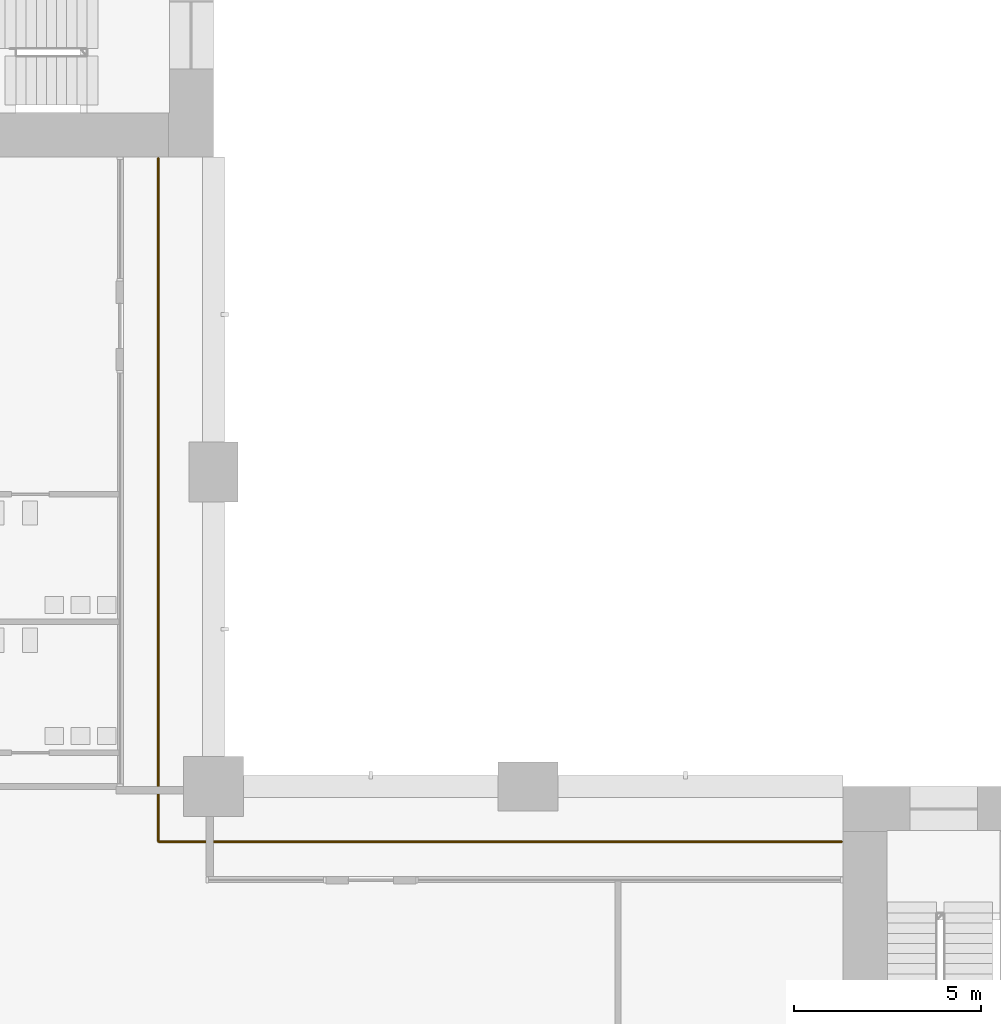
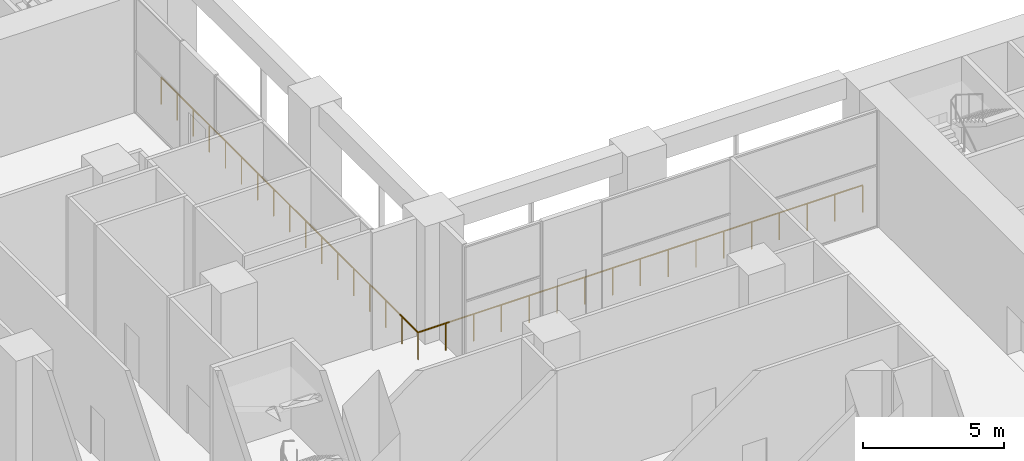
# One storey, part 30 of 33: 1 railing.
"""IFC4 building model written with IfcOpenShell, lengths in metres."""

from ifc_helpers import new_model, si_unit, direction, frame, origin, origin_2d, place, context, subcontext, project, spatial, circle, extrude, material, type_object, element, save


model = new_model("IFC4")

# Units and contexts
model_context = context("Model", 3, precision=1e-05, world=origin(), true_north=direction((0.0, 1.0)))
body_context = subcontext(model_context, "Body", "Model", "MODEL_VIEW")
ifc_project = project(units=[si_unit("LENGTHUNIT", "METRE"), si_unit("AREAUNIT", "SQUARE_METRE"), si_unit("VOLUMEUNIT", "CUBIC_METRE"), si_unit("PLANEANGLEUNIT", "RADIAN"), si_unit("MASSUNIT", "GRAM", prefix="KILO")], contexts=[model_context])

# Site, building, storey
site_placement = place(None, origin())
site = spatial("IfcSite", under=ifc_project, at=site_placement, CompositionType="ELEMENT")
building_placement = place(site_placement, origin())
building = spatial("IfcBuilding", under=site, at=building_placement, Name="Vermilion Gate Residences", CompositionType="ELEMENT")
storey_placement = place(building_placement, frame((0.0, 0.0, 14.39990234375)))
storey = spatial("IfcBuildingStorey", under=building, at=storey_placement, Name="L02", CompositionType="ELEMENT", Elevation=14.39990234375)

# Railing
ifc_material = material(Name="Stainless steel and toughened glass", Category="steel")
railing_type = type_object("IfcRailingType", Name="LOGGIA GUARD STEEL AND GLASS 1200", PredefinedType="GUARDRAIL", material=ifc_material)
railing_placement = place(storey_placement, frame((41.97802734375, 23.72509765625, 0.0)))
element("IfcRailing", 1, at=railing_placement, inside=storey, type_object=railing_type, Name="Loggia guard", PredefinedType="GUARDRAIL", context=body_context, shape_type="SweptSolid", body=[
    extrude(circle(Radius=0.030029296875, at=origin_2d()), frame((0.0, 0.0, 1.169921875), z_axis=(-1.0, 0.0, 0.0), x_axis=(0.0, -1.0, 0.0)), (0.0, 0.0, 1.0), 18.2529296875),
    extrude(circle(Radius=0.030029296875, at=origin_2d()), frame((-18.2529296875, 0.0, 1.169921875), z_axis=(0.0, 1.0, 0.0), x_axis=(-1.0, 0.0, 0.0)), (0.0, 0.0, 1.0), 18.2529296875),
    extrude(circle(Radius=0.02490234375, at=origin_2d()), origin(), (0.0, 0.0, 1.0), 1.139892578125),
    extrude(circle(Radius=0.02490234375, at=origin_2d()), frame((-1.140869140625, 0.0, 0.0)), (0.0, 0.0, 1.0), 1.139892578125),
    extrude(circle(Radius=0.02490234375, at=origin_2d()), frame((-2.28173828125, 0.0, 0.0)), (0.0, 0.0, 1.0), 1.139892578125),
    extrude(circle(Radius=0.02490234375, at=origin_2d()), frame((-3.42236328125, 0.0, 0.0)), (0.0, 0.0, 1.0), 1.139892578125),
    extrude(circle(Radius=0.02490234375, at=origin_2d()), frame((-4.563232421875, 0.0, 0.0)), (0.0, 0.0, 1.0), 1.139892578125),
    extrude(circle(Radius=0.02490234375, at=origin_2d()), frame((-5.7041015625, 0.0, 0.0)), (0.0, 0.0, 1.0), 1.139892578125),
    extrude(circle(Radius=0.02490234375, at=origin_2d()), frame((-6.8447265625, 0.0, 0.0)), (0.0, 0.0, 1.0), 1.139892578125),
    extrude(circle(Radius=0.02490234375, at=origin_2d()), frame((-7.985595703125, 0.0, 0.0)), (0.0, 0.0, 1.0), 1.139892578125),
    extrude(circle(Radius=0.02490234375, at=origin_2d()), frame((-9.12646484375, 0.0, 0.0)), (0.0, 0.0, 1.0), 1.139892578125),
    extrude(circle(Radius=0.02490234375, at=origin_2d()), frame((-10.267333984375, 0.0, 0.0)), (0.0, 0.0, 1.0), 1.139892578125),
    extrude(circle(Radius=0.02490234375, at=origin_2d()), frame((-11.408203125, 0.0, 0.0)), (0.0, 0.0, 1.0), 1.139892578125),
    extrude(circle(Radius=0.02490234375, at=origin_2d()), frame((-12.548828125, 0.0, 0.0)), (0.0, 0.0, 1.0), 1.139892578125),
    extrude(circle(Radius=0.02490234375, at=origin_2d()), frame((-13.689697265625, 0.0, 0.0)), (0.0, 0.0, 1.0), 1.139892578125),
    extrude(circle(Radius=0.02490234375, at=origin_2d()), frame((-14.83056640625, 0.0, 0.0)), (0.0, 0.0, 1.0), 1.139892578125),
    extrude(circle(Radius=0.02490234375, at=origin_2d()), frame((-15.97119140625, 0.0, 0.0)), (0.0, 0.0, 1.0), 1.139892578125),
    extrude(circle(Radius=0.02490234375, at=origin_2d()), frame((-17.112060546875, 0.0, 0.0)), (0.0, 0.0, 1.0), 1.139892578125),
    extrude(circle(Radius=0.02490234375, at=origin_2d()), frame((-18.2529296875, 0.0, 0.0)), (0.0, 0.0, 1.0), 1.139892578125),
    extrude(circle(Radius=0.02490234375, at=origin_2d()), frame((-18.2529296875, 1.140869140625, 0.0)), (0.0, 0.0, 1.0), 1.139892578125),
    extrude(circle(Radius=0.02490234375, at=origin_2d()), frame((-18.2529296875, 2.28173828125, 0.0)), (0.0, 0.0, 1.0), 1.139892578125),
    extrude(circle(Radius=0.02490234375, at=origin_2d()), frame((-18.2529296875, 3.42236328125, 0.0)), (0.0, 0.0, 1.0), 1.139892578125),
    extrude(circle(Radius=0.02490234375, at=origin_2d()), frame((-18.2529296875, 4.563232421875, 0.0)), (0.0, 0.0, 1.0), 1.139892578125),
    extrude(circle(Radius=0.02490234375, at=origin_2d()), frame((-18.2529296875, 5.7041015625, 0.0)), (0.0, 0.0, 1.0), 1.139892578125),
    extrude(circle(Radius=0.02490234375, at=origin_2d()), frame((-18.2529296875, 6.8447265625, 0.0)), (0.0, 0.0, 1.0), 1.139892578125),
    extrude(circle(Radius=0.02490234375, at=origin_2d()), frame((-18.2529296875, 7.985595703125, 0.0)), (0.0, 0.0, 1.0), 1.139892578125),
    extrude(circle(Radius=0.02490234375, at=origin_2d()), frame((-18.2529296875, 9.12646484375, 0.0)), (0.0, 0.0, 1.0), 1.139892578125),
    extrude(circle(Radius=0.02490234375, at=origin_2d()), frame((-18.2529296875, 10.267333984375, 0.0)), (0.0, 0.0, 1.0), 1.139892578125),
    extrude(circle(Radius=0.02490234375, at=origin_2d()), frame((-18.2529296875, 11.408203125, 0.0)), (0.0, 0.0, 1.0), 1.139892578125),
    extrude(circle(Radius=0.02490234375, at=origin_2d()), frame((-18.2529296875, 12.548828125, 0.0)), (0.0, 0.0, 1.0), 1.139892578125),
    extrude(circle(Radius=0.02490234375, at=origin_2d()), frame((-18.2529296875, 13.689697265625, 0.0)), (0.0, 0.0, 1.0), 1.139892578125),
    extrude(circle(Radius=0.02490234375, at=origin_2d()), frame((-18.2529296875, 14.83056640625, 0.0)), (0.0, 0.0, 1.0), 1.139892578125),
    extrude(circle(Radius=0.02490234375, at=origin_2d()), frame((-18.2529296875, 15.97119140625, 0.0)), (0.0, 0.0, 1.0), 1.139892578125),
    extrude(circle(Radius=0.02490234375, at=origin_2d()), frame((-18.2529296875, 17.112060546875, 0.0)), (0.0, 0.0, 1.0), 1.139892578125),
    extrude(circle(Radius=0.02490234375, at=origin_2d()), frame((-18.2529296875, 18.2529296875, 0.0)), (0.0, 0.0, 1.0), 1.139892578125),
])

save(model, "model.ifc")
